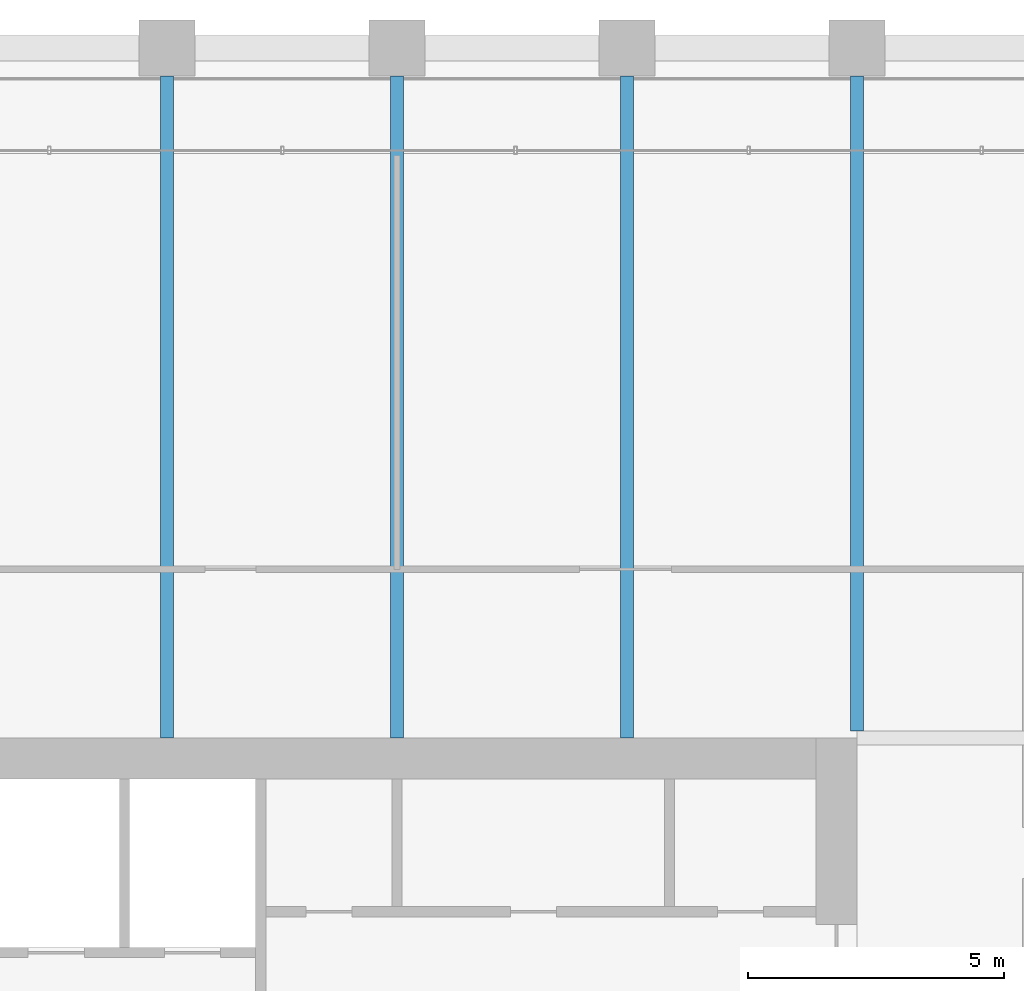
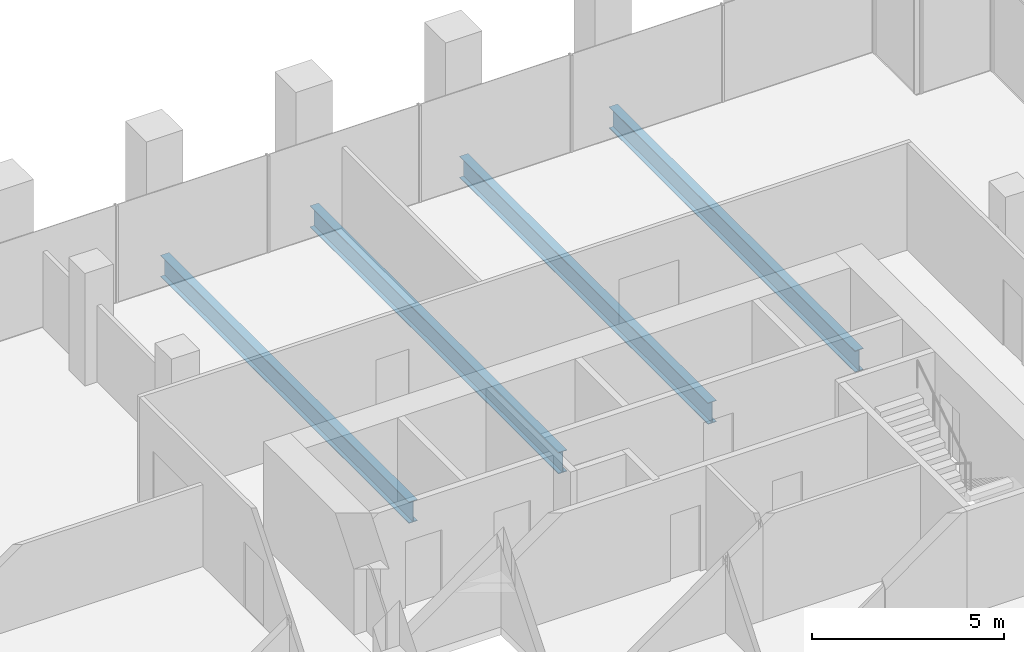
# One storey, part 28 of 56: 4 beams.
"""IFC4 building model written with IfcOpenShell, lengths in metres."""

import ifcopenshell
import ifcopenshell.guid

model = None  # the IFC model being written
_history = None  # IfcOwnerHistory: only IFC2X3 demands one
_inside = {}  # id of a spatial element -> (the spatial element, [elements in it])
_under = {}  # id of a project, library or spatial element -> (it, [spatial elements below it])
_declared = {}  # id of a project -> (the project, [libraries it declares])
_typed = {}  # id of a type object -> (the type object, [elements of that type])
_made_of = {}  # id of a material, layer set ... -> (it, [elements and type objects made of it])


def new_model(schema):
    """Start an empty IFC model of exactly this schema.

    Asked for "IFC4X3", IfcOpenShell would pick the latest addendum, in which some entities
    have other attributes; the version numbers below select the first issue.
    IFC2X3 requires an IfcOwnerHistory on every rooted entity: one is made here for all.
    """
    global model, _history
    if schema == "IFC4X3":
        model = ifcopenshell.file(schema_version=(4, 3, 0, 0))
    else:
        model = ifcopenshell.file(schema=schema)
    _inside.clear()
    _under.clear()
    _declared.clear()
    _typed.clear()
    _made_of.clear()
    _history = None
    if model.schema == "IFC2X3":
        org = make("IfcOrganization", Name="unknown")
        user = make(
            "IfcPersonAndOrganization",
            ThePerson=make("IfcPerson", FamilyName="unknown"),
            TheOrganization=org,
        )
        app = make(
            "IfcApplication",
            ApplicationDeveloper=org,
            Version="unknown",
            ApplicationFullName="unknown",
            ApplicationIdentifier="unknown",
        )
        _history = make(
            "IfcOwnerHistory",
            OwningUser=user,
            OwningApplication=app,
            ChangeAction="ADDED",
            CreationDate=0,
        )
    return model


def make(cls, **values):
    """One entity of the class cls with the attributes given. An attribute that is None is left unset."""
    return model.create_entity(
        cls, **{name: value for name, value in values.items() if value is not None}
    )


def rooted(cls, **values):
    """An entity with a GlobalId (a new one), such as an element, a storey or a relation."""
    return make(cls, GlobalId=ifcopenshell.guid.new(), OwnerHistory=_history, **values)


def si_unit(unit_type, name, prefix=None):
    """IfcSIUnit, for example si_unit("LENGTHUNIT", "METRE", prefix="MILLI")."""
    return make("IfcSIUnit", UnitType=unit_type, Prefix=prefix, Name=name)


def assignment(units):
    """IfcUnitAssignment: the units of a project."""
    return None if units is None else make("IfcUnitAssignment", Units=units)


def point(xyz):
    """IfcCartesianPoint."""
    return None if xyz is None else make("IfcCartesianPoint", Coordinates=xyz)


def direction(xyz):
    """IfcDirection."""
    return None if xyz is None else make("IfcDirection", DirectionRatios=xyz)


def frame(location, z_axis=None, x_axis=None):
    """IfcAxis2Placement3D, a coordinate frame: its origin and axes. An axis left out is left unset."""
    return make(
        "IfcAxis2Placement3D",
        Location=point(location),
        Axis=direction(z_axis),
        RefDirection=direction(x_axis),
    )


def frame_2d(location, x_axis=None):
    """IfcAxis2Placement2D, a coordinate frame in the plane: its origin and x axis."""
    return make(
        "IfcAxis2Placement2D", Location=point(location), RefDirection=direction(x_axis)
    )


def origin():
    """The frame at (0, 0, 0) with its axes left unset."""
    return frame((0.0, 0.0, 0.0))


def origin_2d():
    """The frame at (0, 0) in the plane with its x axis left unset."""
    return frame_2d((0.0, 0.0))


def place(relative_to, where):
    """IfcLocalPlacement: puts the frame where relative to a parent placement (None: the world)."""
    return make(
        "IfcLocalPlacement", PlacementRelTo=relative_to, RelativePlacement=where
    )


def context(
    kind, dimensions, precision=None, world=None, true_north=None, identifier=None
):
    """IfcGeometricRepresentationContext, for example the 3D "Model" context."""
    return make(
        "IfcGeometricRepresentationContext",
        ContextIdentifier=identifier,
        ContextType=kind,
        CoordinateSpaceDimension=dimensions,
        Precision=precision,
        WorldCoordinateSystem=world,
        TrueNorth=true_north,
    )


def subcontext(parent, identifier, kind, view, scale=None):
    """IfcGeometricRepresentationSubContext, for example "Body" below "Model"."""
    return make(
        "IfcGeometricRepresentationSubContext",
        ContextIdentifier=identifier,
        ContextType=kind,
        ParentContext=parent,
        TargetScale=scale,
        TargetView=view,
    )


def project(units=None, contexts=None):
    """IfcProject with its units and contexts."""
    return rooted(
        "IfcProject",
        Name="project",
        RepresentationContexts=contexts,
        UnitsInContext=assignment(units),
    )


def spatial(cls, under=None, at=None, **own):
    """A site, building, storey or space (cls), placed at a placement, below another one or the project."""
    s = rooted(cls, ObjectPlacement=at, **own)
    if under is not None:
        _under.setdefault(under.id(), (under, []))[1].append(s)
    return s


def profile(cls, at=None, kind="AREA", **sizes):
    """A parametric profile (cls). Its sizes go by their IFC names, for example OverallWidth=200.0."""
    return make(cls, ProfileType=kind, Position=at, **sizes)


def i_section(**sizes):
    """IfcIShapeProfileDef."""
    return profile("IfcIShapeProfileDef", **sizes)


def extrude(swept, where, along, depth):
    """IfcExtrudedAreaSolid: the profile swept, set in the frame where, extruded along a direction by depth."""
    return make(
        "IfcExtrudedAreaSolid",
        SweptArea=swept,
        Position=where,
        ExtrudedDirection=direction(along),
        Depth=depth,
    )


def shape(context_of_items, identifier, shape_type, items):
    """IfcShapeRepresentation: the items that make up one representation, for example the "Body"."""
    return make(
        "IfcShapeRepresentation",
        ContextOfItems=context_of_items,
        RepresentationIdentifier=identifier,
        RepresentationType=shape_type,
        Items=items,
    )


def material(Name=None, Category=None):
    """IfcMaterial."""
    return make("IfcMaterial", Name=Name, Category=Category)


def material_profile(
    of_material, cross_section, Name=None, Category=None, Priority=None
):
    """IfcMaterialProfile: a cross section and its material."""
    return make(
        "IfcMaterialProfile",
        Name=Name,
        Material=of_material,
        Profile=cross_section,
        Priority=Priority,
        Category=Category,
    )


def profile_set(profiles, Name=None, composite=None):
    """IfcMaterialProfileSet."""
    return make(
        "IfcMaterialProfileSet",
        Name=Name,
        MaterialProfiles=profiles,
        CompositeProfile=composite,
    )


def made_of(thing, what):
    """Note that an element or type object is made of a material, layer set ...; save() writes the relation."""
    if what is not None:
        _made_of.setdefault(what.id(), (what, []))[1].append(thing)
    return thing


def type_object(cls, material=None, **own):
    """A type object (cls), such as IfcWallType, which elements share."""
    return made_of(rooted(cls, **own), material)


def element(
    cls,
    number,
    at=None,
    inside=None,
    cuts=None,
    type_object=None,
    material=None,
    context=None,
    identifier="Body",
    shape_type=None,
    held_by="IfcProductDefinitionShape",
    body=None,
    shapes=None,
    **own,
):
    """One element of the class cls, such as IfcWall. Its Tag is "e" and its number.

    at: its placement. inside: the storey or other place that contains it. cuts: it is an
    opening in that element (IfcRelVoidsElement). A single representation is given by context,
    identifier, shape_type and body (its items); several are given by shapes. held_by: the class
    of the entity that holds the representations. save() writes the other relations.
    """
    e = rooted(cls, Tag="e%d" % number, ObjectPlacement=at, **own)
    if body is not None:
        shapes = [shape(context, identifier, shape_type, body)]
    if shapes is not None:
        e.Representation = make(held_by, Representations=shapes)
    if inside is not None:
        _inside.setdefault(inside.id(), (inside, []))[1].append(e)
    if cuts is not None:
        rooted(
            "IfcRelVoidsElement", RelatingBuildingElement=cuts, RelatedOpeningElement=e
        )
    if type_object is not None:
        _typed.setdefault(type_object.id(), (type_object, []))[1].append(e)
    return made_of(e, material)


def aggregate(whole, parts):
    """IfcRelAggregates: a whole, such as a stair, and the parts it consists of."""
    return rooted("IfcRelAggregates", RelatingObject=whole, RelatedObjects=parts)


def save(model, path):
    """Write the relations noted so far, then the file.

    IfcRelAggregates (storeys below a building ...), IfcRelContainedInSpatialStructure (elements
    in a storey), IfcRelDefinesByType, IfcRelAssociatesMaterial and IfcRelDeclares: one each for
    every whole, place, type object, material and project.
    """
    for whole, parts in _under.values():
        aggregate(whole, parts)
    for where, things in _inside.values():
        rooted(
            "IfcRelContainedInSpatialStructure",
            RelatedElements=things,
            RelatingStructure=where,
        )
    for kind, things in _typed.values():
        rooted("IfcRelDefinesByType", RelatedObjects=things, RelatingType=kind)
    for what, things in _made_of.values():
        rooted("IfcRelAssociatesMaterial", RelatedObjects=things, RelatingMaterial=what)
    for by, libraries in _declared.values():
        rooted("IfcRelDeclares", RelatingContext=by, RelatedDefinitions=libraries)
    model.write(path)


model = new_model("IFC4")

# Units and contexts
model_context = context("Model", 3, precision=1e-05, world=origin(), true_north=direction((0.0, 1.0)))
body_context = subcontext(model_context, "Body", "Model", "MODEL_VIEW")
ifc_project = project(units=[si_unit("LENGTHUNIT", "METRE"), si_unit("AREAUNIT", "SQUARE_METRE"), si_unit("VOLUMEUNIT", "CUBIC_METRE"), si_unit("PLANEANGLEUNIT", "RADIAN"), si_unit("MASSUNIT", "GRAM", prefix="KILO")], contexts=[model_context])

# Site, building, storey
site_placement = place(None, origin())
site = spatial("IfcSite", under=ifc_project, at=site_placement, CompositionType="ELEMENT")
building_placement = place(site_placement, origin())
building = spatial("IfcBuilding", under=site, at=building_placement, Name="Altepetl Exchange Towers", CompositionType="ELEMENT")
storey_placement = place(building_placement, frame((0.0, 0.0, 83.39990234375)))
storey = spatial("IfcBuildingStorey", under=building, at=storey_placement, Name="L20", CompositionType="ELEMENT", Elevation=83.39990234375)

# Beams
ifc_material = material(Name="Steel S355", Category="steel")
ifc_material_profile = material_profile(ifc_material, i_section(OverallWidth=0.25390625, OverallDepth=0.68408203125, WebThickness=0.012451171875, FlangeThickness=0.018798828125, at=origin_2d()), Name="W27X94")
ifc_profile_set = profile_set([ifc_material_profile], Name="Steel S355")
beam_type = type_object("IfcBeamType", Name="Floor beam W27X94", PredefinedType="BEAM", material=ifc_profile_set)
for number, where, z_axis, x_axis, name in (
    (1, (45.0, 58.5, -0.491943359375), (0.0, 1.0, 0.0), (-1.0, 0.0, 0.0), "bm:A:L20:000"),
    (2, (49.5, 58.5, -0.491943359375), (0.0, 1.0, 0.0), (-1.0, 0.0, 0.0), "bm:A:L20:001"),
    (3, (54.0, 58.5, -0.491943359375), (0.0, 1.0, 0.0), (-1.0, 0.0, 0.0), "bm:A:L20:002"),
):
    element("IfcBeam", number, at=place(storey_placement, frame(where, z_axis=z_axis, x_axis=x_axis)), inside=storey, type_object=beam_type, Name=name, PredefinedType="BEAM", context=body_context, shape_type="SweptSolid", body=[
        extrude(i_section(OverallWidth=0.25390625, OverallDepth=0.68408203125, WebThickness=0.012451171875, FlangeThickness=0.018798828125, at=origin_2d()), origin(), (0.0, 0.0, 1.0), 12.949951171875),
    ])
beam_placement = place(storey_placement, frame((58.5, 58.634033203125, -0.491943359375), z_axis=(0.0, 1.0, 0.0), x_axis=(-1.0, 0.0, 0.0)))
element("IfcBeam", 4, at=beam_placement, inside=storey, type_object=beam_type, Name="bm:A:L20:003", PredefinedType="BEAM", context=body_context, shape_type="SweptSolid", body=[
    extrude(i_section(OverallWidth=0.25390625, OverallDepth=0.68408203125, WebThickness=0.012451171875, FlangeThickness=0.018798828125, at=origin_2d()), origin(), (0.0, 0.0, 1.0), 12.81591796875),
])

save(model, "model.ifc")
